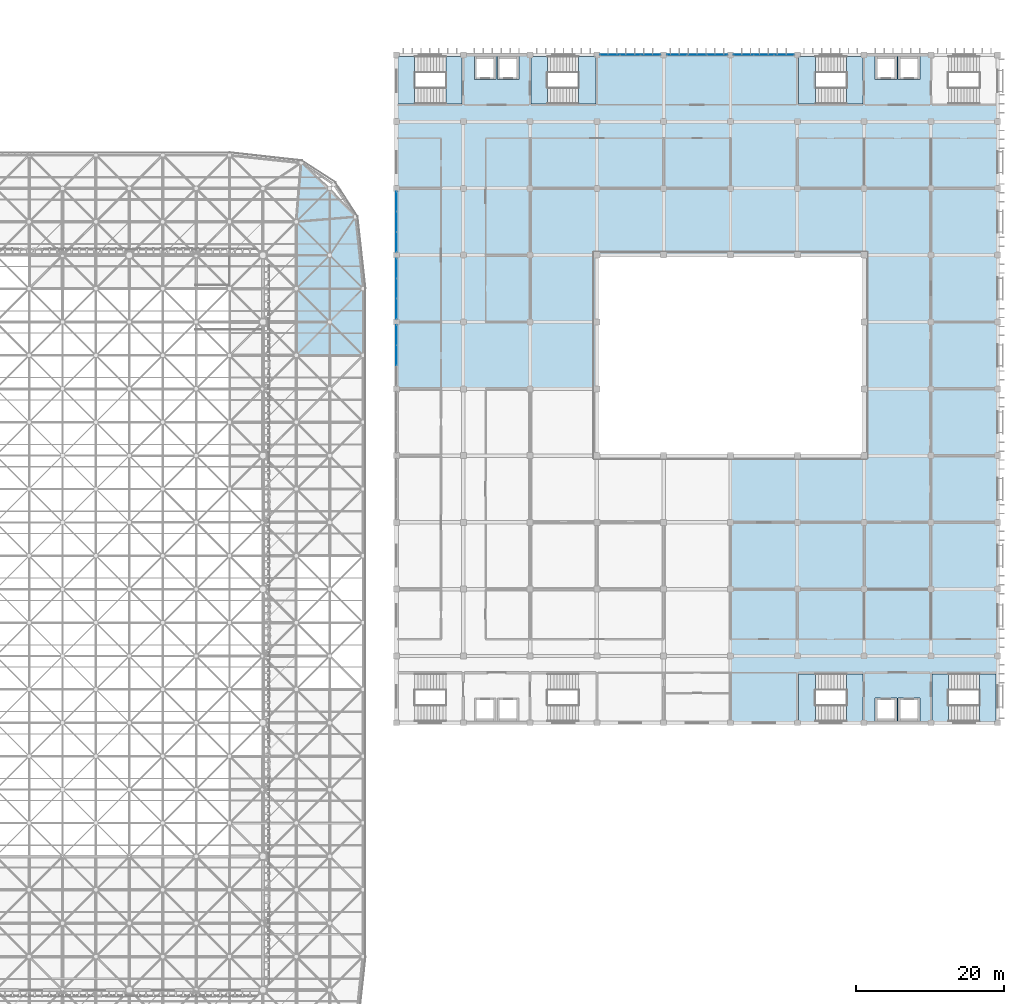
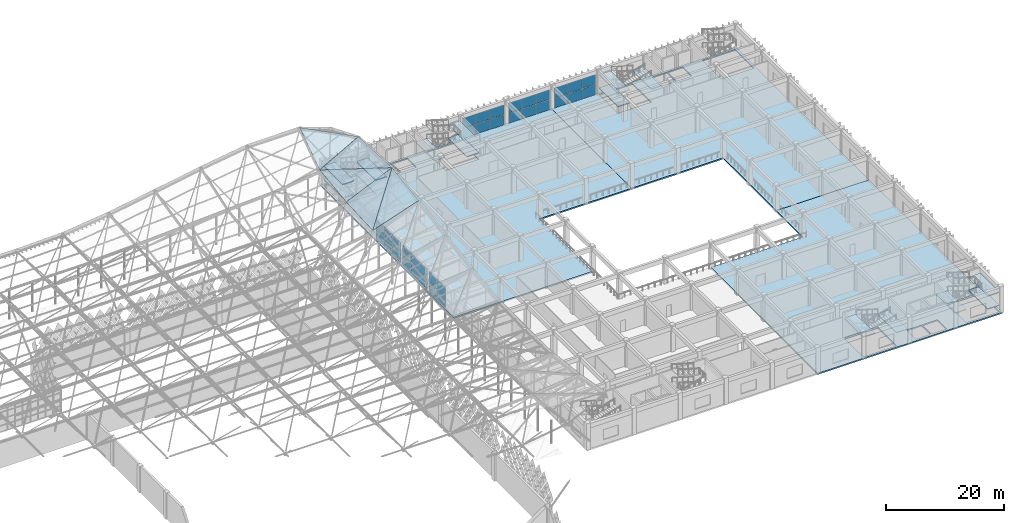
# One storey, part 249 of 437: 34 plates, 22 slabs, 11 elements without a shape of their own.
"""IFC4 building model written with IfcOpenShell, lengths in metres."""

from ifc_helpers import new_model, si_unit, direction, frame, origin, origin_2d, place, context, subcontext, project, spatial, polyline, rectangle, outline, extrude, material, layer, layer_set, type_object, element, aggregate, save


model = new_model("IFC4")

# Units and contexts
model_context = context("Model", 3, precision=1e-05, world=origin(), true_north=direction((0.0, 1.0)))
body_context = subcontext(model_context, "Body", "Model", "MODEL_VIEW")
ifc_project = project(units=[si_unit("LENGTHUNIT", "METRE"), si_unit("AREAUNIT", "SQUARE_METRE"), si_unit("VOLUMEUNIT", "CUBIC_METRE"), si_unit("PLANEANGLEUNIT", "RADIAN"), si_unit("MASSUNIT", "GRAM", prefix="KILO")], contexts=[model_context])

# Site, building, storey
site_placement = place(None, origin())
site = spatial("IfcSite", under=ifc_project, at=site_placement, CompositionType="ELEMENT")
building_placement = place(site_placement, origin())
building = spatial("IfcBuilding", under=site, at=building_placement, Name="Opaline Strait Convention Centre", CompositionType="ELEMENT")
storey_placement = place(building_placement, frame((0.0, 0.0, 11.5)))
storey = spatial("IfcBuildingStorey", under=building, at=storey_placement, Name="L02", CompositionType="ELEMENT", Elevation=11.5)

# Curtain wall, plates
ifc_material_1 = material(Name="Aluminium framed double glazing", Category="aluminium")
ifc_layer_1 = layer(ifc_material_1, 0.199951171875)
ifc_layer_set_1 = layer_set([ifc_layer_1], Name="Aluminium framed double glazing")
curtain_wall_type = type_object("IfcCurtainWallType", Name="Curtain wall 3000 module unitised", PredefinedType="NOTDEFINED", material=ifc_layer_set_1)
curtain_wall_1_placement = place(storey_placement, origin())
curtain_wall_1 = element("IfcCurtainWall", 1, at=curtain_wall_1_placement, inside=storey, type_object=curtain_wall_type, Name="Curtain wall N L02 35/W", PredefinedType="NOTDEFINED")
ifc_material_2 = material(Name="Double glazed unit low emissivity", Category="glass")
ifc_layer_2 = layer(ifc_material_2, 0.028076171875)
ifc_layer_set_2 = layer_set([ifc_layer_2], Name="Double glazed unit low emissivity")
plate_type = type_object("IfcPlateType", Name="Curtain wall glass panel 28", PredefinedType="CURTAIN_PANEL", material=ifc_layer_set_2)
plate_1_placement = place(storey_placement, frame((307.781494140625, 180.0, 0.06005859375), z_axis=(0.0, 0.0, 1.0), x_axis=(1.0, 0.0, 0.0)))
plate_1 = element("IfcPlate", 2, at=plate_1_placement, type_object=plate_type, Name="MCWR1 panel 1.1", PredefinedType="CURTAIN_PANEL", context=body_context, shape_type="SweptSolid", body=[
    extrude(rectangle(XDim=2.643310546875, YDim=0.028076171875, at=origin_2d()), origin(), (0.0, 0.0, 1.0), 2.070068359375),
])
plate_2_placement = place(storey_placement, frame((307.781494140625, 180.0, 2.18994140625), z_axis=(0.0, 0.0, 1.0), x_axis=(1.0, 0.0, 0.0)))
plate_2 = element("IfcPlate", 3, at=plate_2_placement, type_object=plate_type, Name="MCWR1 panel 1.2", PredefinedType="CURTAIN_PANEL", context=body_context, shape_type="SweptSolid", body=[
    extrude(rectangle(XDim=2.643310546875, YDim=0.028076171875, at=origin_2d()), origin(), (0.0, 0.0, 1.0), 2.070068359375),
])
plate_3_placement = place(storey_placement, frame((310.5, 180.0, 0.06005859375), z_axis=(0.0, 0.0, 1.0), x_axis=(1.0, 0.0, 0.0)))
plate_3 = element("IfcPlate", 4, at=plate_3_placement, type_object=plate_type, Name="MCWR1 panel 2.1", PredefinedType="CURTAIN_PANEL", context=body_context, shape_type="SweptSolid", body=[
    extrude(rectangle(XDim=2.67333984375, YDim=0.028076171875, at=origin_2d()), origin(), (0.0, 0.0, 1.0), 2.070068359375),
])
plate_4_placement = place(storey_placement, frame((310.5, 180.0, 2.18994140625), z_axis=(0.0, 0.0, 1.0), x_axis=(1.0, 0.0, 0.0)))
plate_4 = element("IfcPlate", 5, at=plate_4_placement, type_object=plate_type, Name="MCWR1 panel 2.2", PredefinedType="CURTAIN_PANEL", context=body_context, shape_type="SweptSolid", body=[
    extrude(rectangle(XDim=2.67333984375, YDim=0.028076171875, at=origin_2d()), origin(), (0.0, 0.0, 1.0), 2.070068359375),
])
plate_5_placement = place(storey_placement, frame((313.218505859375, 180.0, 0.06005859375), z_axis=(0.0, 0.0, 1.0), x_axis=(1.0, 0.0, 0.0)))
plate_5 = element("IfcPlate", 6, at=plate_5_placement, type_object=plate_type, Name="MCWR1 panel 3.1", PredefinedType="CURTAIN_PANEL", context=body_context, shape_type="SweptSolid", body=[
    extrude(rectangle(XDim=2.643310546875, YDim=0.028076171875, at=origin_2d()), origin(), (0.0, 0.0, 1.0), 2.070068359375),
])
plate_6_placement = place(storey_placement, frame((313.218505859375, 180.0, 2.18994140625), z_axis=(0.0, 0.0, 1.0), x_axis=(1.0, 0.0, 0.0)))
plate_6 = element("IfcPlate", 7, at=plate_6_placement, type_object=plate_type, Name="MCWR1 panel 3.2", PredefinedType="CURTAIN_PANEL", context=body_context, shape_type="SweptSolid", body=[
    extrude(rectangle(XDim=2.643310546875, YDim=0.028076171875, at=origin_2d()), origin(), (0.0, 0.0, 1.0), 2.070068359375),
])
aggregate(curtain_wall_1, [plate_1, plate_2, plate_3, plate_4, plate_5, plate_6])

curtain_wall_2_placement = place(storey_placement, origin())
curtain_wall_2 = element("IfcCurtainWall", 8, at=curtain_wall_2_placement, inside=storey, type_object=curtain_wall_type, Name="Curtain wall N L02 36/W", PredefinedType="NOTDEFINED")
plate_7_placement = place(storey_placement, frame((316.781494140625, 180.0, 0.06005859375), z_axis=(0.0, 0.0, 1.0), x_axis=(1.0, 0.0, 0.0)))
plate_7 = element("IfcPlate", 9, at=plate_7_placement, type_object=plate_type, Name="MCWR1 panel 1.1", PredefinedType="CURTAIN_PANEL", context=body_context, shape_type="SweptSolid", body=[
    extrude(rectangle(XDim=2.643310546875, YDim=0.028076171875, at=origin_2d()), origin(), (0.0, 0.0, 1.0), 2.070068359375),
])
plate_8_placement = place(storey_placement, frame((316.781494140625, 180.0, 2.18994140625), z_axis=(0.0, 0.0, 1.0), x_axis=(1.0, 0.0, 0.0)))
plate_8 = element("IfcPlate", 10, at=plate_8_placement, type_object=plate_type, Name="MCWR1 panel 1.2", PredefinedType="CURTAIN_PANEL", context=body_context, shape_type="SweptSolid", body=[
    extrude(rectangle(XDim=2.643310546875, YDim=0.028076171875, at=origin_2d()), origin(), (0.0, 0.0, 1.0), 2.070068359375),
])
plate_9_placement = place(storey_placement, frame((319.5, 180.0, 0.06005859375), z_axis=(0.0, 0.0, 1.0), x_axis=(1.0, 0.0, 0.0)))
plate_9 = element("IfcPlate", 11, at=plate_9_placement, type_object=plate_type, Name="MCWR1 panel 2.1", PredefinedType="CURTAIN_PANEL", context=body_context, shape_type="SweptSolid", body=[
    extrude(rectangle(XDim=2.67333984375, YDim=0.028076171875, at=origin_2d()), origin(), (0.0, 0.0, 1.0), 2.070068359375),
])
plate_10_placement = place(storey_placement, frame((319.5, 180.0, 2.18994140625), z_axis=(0.0, 0.0, 1.0), x_axis=(1.0, 0.0, 0.0)))
plate_10 = element("IfcPlate", 12, at=plate_10_placement, type_object=plate_type, Name="MCWR1 panel 2.2", PredefinedType="CURTAIN_PANEL", context=body_context, shape_type="SweptSolid", body=[
    extrude(rectangle(XDim=2.67333984375, YDim=0.028076171875, at=origin_2d()), origin(), (0.0, 0.0, 1.0), 2.070068359375),
])
plate_11_placement = place(storey_placement, frame((322.218505859375, 180.0, 0.06005859375), z_axis=(0.0, 0.0, 1.0), x_axis=(1.0, 0.0, 0.0)))
plate_11 = element("IfcPlate", 13, at=plate_11_placement, type_object=plate_type, Name="MCWR1 panel 3.1", PredefinedType="CURTAIN_PANEL", context=body_context, shape_type="SweptSolid", body=[
    extrude(rectangle(XDim=2.643310546875, YDim=0.028076171875, at=origin_2d()), origin(), (0.0, 0.0, 1.0), 2.070068359375),
])
plate_12_placement = place(storey_placement, frame((322.218505859375, 180.0, 2.18994140625), z_axis=(0.0, 0.0, 1.0), x_axis=(1.0, 0.0, 0.0)))
plate_12 = element("IfcPlate", 14, at=plate_12_placement, type_object=plate_type, Name="MCWR1 panel 3.2", PredefinedType="CURTAIN_PANEL", context=body_context, shape_type="SweptSolid", body=[
    extrude(rectangle(XDim=2.643310546875, YDim=0.028076171875, at=origin_2d()), origin(), (0.0, 0.0, 1.0), 2.070068359375),
])
aggregate(curtain_wall_2, [plate_7, plate_8, plate_9, plate_10, plate_11, plate_12])

curtain_wall_3_placement = place(storey_placement, origin())
curtain_wall_3 = element("IfcCurtainWall", 15, at=curtain_wall_3_placement, inside=storey, type_object=curtain_wall_type, Name="Curtain wall N L02 37/W", PredefinedType="NOTDEFINED")
plate_13_placement = place(storey_placement, frame((325.781494140625, 180.0, 0.06005859375), z_axis=(0.0, 0.0, 1.0), x_axis=(1.0, 0.0, 0.0)))
plate_13 = element("IfcPlate", 16, at=plate_13_placement, type_object=plate_type, Name="MCWR1 panel 1.1", PredefinedType="CURTAIN_PANEL", context=body_context, shape_type="SweptSolid", body=[
    extrude(rectangle(XDim=2.643310546875, YDim=0.028076171875, at=origin_2d()), origin(), (0.0, 0.0, 1.0), 2.070068359375),
])
plate_14_placement = place(storey_placement, frame((325.781494140625, 180.0, 2.18994140625), z_axis=(0.0, 0.0, 1.0), x_axis=(1.0, 0.0, 0.0)))
plate_14 = element("IfcPlate", 17, at=plate_14_placement, type_object=plate_type, Name="MCWR1 panel 1.2", PredefinedType="CURTAIN_PANEL", context=body_context, shape_type="SweptSolid", body=[
    extrude(rectangle(XDim=2.643310546875, YDim=0.028076171875, at=origin_2d()), origin(), (0.0, 0.0, 1.0), 2.070068359375),
])
plate_15_placement = place(storey_placement, frame((328.5, 180.0, 0.06005859375), z_axis=(0.0, 0.0, 1.0), x_axis=(1.0, 0.0, 0.0)))
plate_15 = element("IfcPlate", 18, at=plate_15_placement, type_object=plate_type, Name="MCWR1 panel 2.1", PredefinedType="CURTAIN_PANEL", context=body_context, shape_type="SweptSolid", body=[
    extrude(rectangle(XDim=2.67333984375, YDim=0.028076171875, at=origin_2d()), origin(), (0.0, 0.0, 1.0), 2.070068359375),
])
plate_16_placement = place(storey_placement, frame((328.5, 180.0, 2.18994140625), z_axis=(0.0, 0.0, 1.0), x_axis=(1.0, 0.0, 0.0)))
plate_16 = element("IfcPlate", 19, at=plate_16_placement, type_object=plate_type, Name="MCWR1 panel 2.2", PredefinedType="CURTAIN_PANEL", context=body_context, shape_type="SweptSolid", body=[
    extrude(rectangle(XDim=2.67333984375, YDim=0.028076171875, at=origin_2d()), origin(), (0.0, 0.0, 1.0), 2.070068359375),
])
plate_17_placement = place(storey_placement, frame((331.218505859375, 180.0, 0.06005859375), z_axis=(0.0, 0.0, 1.0), x_axis=(1.0, 0.0, 0.0)))
plate_17 = element("IfcPlate", 20, at=plate_17_placement, type_object=plate_type, Name="MCWR1 panel 3.1", PredefinedType="CURTAIN_PANEL", context=body_context, shape_type="SweptSolid", body=[
    extrude(rectangle(XDim=2.643310546875, YDim=0.028076171875, at=origin_2d()), origin(), (0.0, 0.0, 1.0), 2.070068359375),
])
plate_18_placement = place(storey_placement, frame((331.218505859375, 180.0, 2.18994140625), z_axis=(0.0, 0.0, 1.0), x_axis=(1.0, 0.0, 0.0)))
plate_18 = element("IfcPlate", 21, at=plate_18_placement, type_object=plate_type, Name="MCWR1 panel 3.2", PredefinedType="CURTAIN_PANEL", context=body_context, shape_type="SweptSolid", body=[
    extrude(rectangle(XDim=2.643310546875, YDim=0.028076171875, at=origin_2d()), origin(), (0.0, 0.0, 1.0), 2.070068359375),
])
aggregate(curtain_wall_3, [plate_13, plate_14, plate_15, plate_16, plate_17, plate_18])

curtain_wall_4_placement = place(storey_placement, origin())
curtain_wall_4 = element("IfcCurtainWall", 22, at=curtain_wall_4_placement, inside=storey, type_object=curtain_wall_type, Name="Curtain wall W L02 32/R", PredefinedType="NOTDEFINED")
plate_19_placement = place(storey_placement, frame((279.0, 139.5, 0.06005859375), z_axis=(0.0, 0.0, 1.0), x_axis=(0.0, 1.0, 0.0)))
plate_19 = element("IfcPlate", 23, at=plate_19_placement, type_object=plate_type, Name="MCWR1 panel 2.1", PredefinedType="CURTAIN_PANEL", context=body_context, shape_type="SweptSolid", body=[
    extrude(rectangle(XDim=2.67333984375, YDim=0.028076171875, at=origin_2d()), origin(), (0.0, 0.0, 1.0), 2.070068359375),
])
plate_20_placement = place(storey_placement, frame((279.0, 139.5, 2.18994140625), z_axis=(0.0, 0.0, 1.0), x_axis=(0.0, 1.0, 0.0)))
plate_20 = element("IfcPlate", 24, at=plate_20_placement, type_object=plate_type, Name="MCWR1 panel 2.2", PredefinedType="CURTAIN_PANEL", context=body_context, shape_type="SweptSolid", body=[
    extrude(rectangle(XDim=2.67333984375, YDim=0.028076171875, at=origin_2d()), origin(), (0.0, 0.0, 1.0), 2.070068359375),
])
plate_21_placement = place(storey_placement, frame((279.0, 142.218505859375, 0.06005859375), z_axis=(0.0, 0.0, 1.0), x_axis=(0.0, 1.0, 0.0)))
plate_21 = element("IfcPlate", 25, at=plate_21_placement, type_object=plate_type, Name="MCWR1 panel 3.1", PredefinedType="CURTAIN_PANEL", context=body_context, shape_type="SweptSolid", body=[
    extrude(rectangle(XDim=2.643310546875, YDim=0.028076171875, at=origin_2d()), origin(), (0.0, 0.0, 1.0), 2.070068359375),
])
plate_22_placement = place(storey_placement, frame((279.0, 142.218505859375, 2.18994140625), z_axis=(0.0, 0.0, 1.0), x_axis=(0.0, 1.0, 0.0)))
plate_22 = element("IfcPlate", 26, at=plate_22_placement, type_object=plate_type, Name="MCWR1 panel 3.2", PredefinedType="CURTAIN_PANEL", context=body_context, shape_type="SweptSolid", body=[
    extrude(rectangle(XDim=2.643310546875, YDim=0.028076171875, at=origin_2d()), origin(), (0.0, 0.0, 1.0), 2.070068359375),
])
aggregate(curtain_wall_4, [plate_19, plate_20, plate_21, plate_22])

curtain_wall_5_placement = place(storey_placement, origin())
curtain_wall_5 = element("IfcCurtainWall", 27, at=curtain_wall_5_placement, inside=storey, type_object=curtain_wall_type, Name="Curtain wall W L02 32/S", PredefinedType="NOTDEFINED")
plate_23_placement = place(storey_placement, frame((279.0, 145.781494140625, 0.06005859375), z_axis=(0.0, 0.0, 1.0), x_axis=(0.0, 1.0, 0.0)))
plate_23 = element("IfcPlate", 28, at=plate_23_placement, type_object=plate_type, Name="MCWR1 panel 1.1", PredefinedType="CURTAIN_PANEL", context=body_context, shape_type="SweptSolid", body=[
    extrude(rectangle(XDim=2.643310546875, YDim=0.028076171875, at=origin_2d()), origin(), (0.0, 0.0, 1.0), 2.070068359375),
])
plate_24_placement = place(storey_placement, frame((279.0, 145.781494140625, 2.18994140625), z_axis=(0.0, 0.0, 1.0), x_axis=(0.0, 1.0, 0.0)))
plate_24 = element("IfcPlate", 29, at=plate_24_placement, type_object=plate_type, Name="MCWR1 panel 1.2", PredefinedType="CURTAIN_PANEL", context=body_context, shape_type="SweptSolid", body=[
    extrude(rectangle(XDim=2.643310546875, YDim=0.028076171875, at=origin_2d()), origin(), (0.0, 0.0, 1.0), 2.070068359375),
])
plate_25_placement = place(storey_placement, frame((279.0, 148.5, 0.06005859375), z_axis=(0.0, 0.0, 1.0), x_axis=(0.0, 1.0, 0.0)))
plate_25 = element("IfcPlate", 30, at=plate_25_placement, type_object=plate_type, Name="MCWR1 panel 2.1", PredefinedType="CURTAIN_PANEL", context=body_context, shape_type="SweptSolid", body=[
    extrude(rectangle(XDim=2.67333984375, YDim=0.028076171875, at=origin_2d()), origin(), (0.0, 0.0, 1.0), 2.070068359375),
])
plate_26_placement = place(storey_placement, frame((279.0, 148.5, 2.18994140625), z_axis=(0.0, 0.0, 1.0), x_axis=(0.0, 1.0, 0.0)))
plate_26 = element("IfcPlate", 31, at=plate_26_placement, type_object=plate_type, Name="MCWR1 panel 2.2", PredefinedType="CURTAIN_PANEL", context=body_context, shape_type="SweptSolid", body=[
    extrude(rectangle(XDim=2.67333984375, YDim=0.028076171875, at=origin_2d()), origin(), (0.0, 0.0, 1.0), 2.070068359375),
])
plate_27_placement = place(storey_placement, frame((279.0, 151.218505859375, 0.06005859375), z_axis=(0.0, 0.0, 1.0), x_axis=(0.0, 1.0, 0.0)))
plate_27 = element("IfcPlate", 32, at=plate_27_placement, type_object=plate_type, Name="MCWR1 panel 3.1", PredefinedType="CURTAIN_PANEL", context=body_context, shape_type="SweptSolid", body=[
    extrude(rectangle(XDim=2.643310546875, YDim=0.028076171875, at=origin_2d()), origin(), (0.0, 0.0, 1.0), 2.070068359375),
])
plate_28_placement = place(storey_placement, frame((279.0, 151.218505859375, 2.18994140625), z_axis=(0.0, 0.0, 1.0), x_axis=(0.0, 1.0, 0.0)))
plate_28 = element("IfcPlate", 33, at=plate_28_placement, type_object=plate_type, Name="MCWR1 panel 3.2", PredefinedType="CURTAIN_PANEL", context=body_context, shape_type="SweptSolid", body=[
    extrude(rectangle(XDim=2.643310546875, YDim=0.028076171875, at=origin_2d()), origin(), (0.0, 0.0, 1.0), 2.070068359375),
])
aggregate(curtain_wall_5, [plate_23, plate_24, plate_25, plate_26, plate_27, plate_28])

curtain_wall_6_placement = place(storey_placement, origin())
curtain_wall_6 = element("IfcCurtainWall", 34, at=curtain_wall_6_placement, inside=storey, type_object=curtain_wall_type, Name="Curtain wall W L02 32/T", PredefinedType="NOTDEFINED")
plate_29_placement = place(storey_placement, frame((279.0, 154.781494140625, 0.06005859375), z_axis=(0.0, 0.0, 1.0), x_axis=(0.0, 1.0, 0.0)))
plate_29 = element("IfcPlate", 35, at=plate_29_placement, type_object=plate_type, Name="MCWR1 panel 1.1", PredefinedType="CURTAIN_PANEL", context=body_context, shape_type="SweptSolid", body=[
    extrude(rectangle(XDim=2.643310546875, YDim=0.028076171875, at=origin_2d()), origin(), (0.0, 0.0, 1.0), 2.070068359375),
])
plate_30_placement = place(storey_placement, frame((279.0, 154.781494140625, 2.18994140625), z_axis=(0.0, 0.0, 1.0), x_axis=(0.0, 1.0, 0.0)))
plate_30 = element("IfcPlate", 36, at=plate_30_placement, type_object=plate_type, Name="MCWR1 panel 1.2", PredefinedType="CURTAIN_PANEL", context=body_context, shape_type="SweptSolid", body=[
    extrude(rectangle(XDim=2.643310546875, YDim=0.028076171875, at=origin_2d()), origin(), (0.0, 0.0, 1.0), 2.070068359375),
])
plate_31_placement = place(storey_placement, frame((279.0, 157.5, 0.06005859375), z_axis=(0.0, 0.0, 1.0), x_axis=(0.0, 1.0, 0.0)))
plate_31 = element("IfcPlate", 37, at=plate_31_placement, type_object=plate_type, Name="MCWR1 panel 2.1", PredefinedType="CURTAIN_PANEL", context=body_context, shape_type="SweptSolid", body=[
    extrude(rectangle(XDim=2.67333984375, YDim=0.028076171875, at=origin_2d()), origin(), (0.0, 0.0, 1.0), 2.070068359375),
])
plate_32_placement = place(storey_placement, frame((279.0, 157.5, 2.18994140625), z_axis=(0.0, 0.0, 1.0), x_axis=(0.0, 1.0, 0.0)))
plate_32 = element("IfcPlate", 38, at=plate_32_placement, type_object=plate_type, Name="MCWR1 panel 2.2", PredefinedType="CURTAIN_PANEL", context=body_context, shape_type="SweptSolid", body=[
    extrude(rectangle(XDim=2.67333984375, YDim=0.028076171875, at=origin_2d()), origin(), (0.0, 0.0, 1.0), 2.070068359375),
])
plate_33_placement = place(storey_placement, frame((279.0, 160.218505859375, 0.06005859375), z_axis=(0.0, 0.0, 1.0), x_axis=(0.0, 1.0, 0.0)))
plate_33 = element("IfcPlate", 39, at=plate_33_placement, type_object=plate_type, Name="MCWR1 panel 3.1", PredefinedType="CURTAIN_PANEL", context=body_context, shape_type="SweptSolid", body=[
    extrude(rectangle(XDim=2.643310546875, YDim=0.028076171875, at=origin_2d()), origin(), (0.0, 0.0, 1.0), 2.070068359375),
])
plate_34_placement = place(storey_placement, frame((279.0, 160.218505859375, 2.18994140625), z_axis=(0.0, 0.0, 1.0), x_axis=(0.0, 1.0, 0.0)))
plate_34 = element("IfcPlate", 40, at=plate_34_placement, type_object=plate_type, Name="MCWR1 panel 3.2", PredefinedType="CURTAIN_PANEL", context=body_context, shape_type="SweptSolid", body=[
    extrude(rectangle(XDim=2.643310546875, YDim=0.028076171875, at=origin_2d()), origin(), (0.0, 0.0, 1.0), 2.070068359375),
])
aggregate(curtain_wall_6, [plate_29, plate_30, plate_31, plate_32, plate_33, plate_34])

# Slabs
ifc_material_3 = material(Name="Steel Q235-B insulated roof panel", Category="steel")
ifc_layer_3 = layer(ifc_material_3, 0.1201171875)
ifc_layer_set_3 = layer_set([ifc_layer_3], Name="Steel Q235-B insulated roof panel")
slab_type_1 = type_object("IfcSlabType", Name="Insulated roof panel 120 steel Q235B facings", PredefinedType="ROOF", material=ifc_layer_set_3)
slab_1_placement = place(storey_placement, frame((265.5, 139.5, 19.92529296875), z_axis=(-0.317843500893, -0.140110604475, 0.937733718842), x_axis=(0.94707580852, 0.0, 0.321009988809)))
element("IfcSlab", 41, at=slab_1_placement, inside=storey, type_object=slab_type_1, Name="EXB-RF-D-20-11a", PredefinedType="ROOF", context=body_context, shape_type="SweptSolid", body=[
    extrude(outline(polyline([(0.0, 0.0), (9.502935160026821, 5.551115123125783e-17), (9.934605818806414, 9.089661708239856), (0.0, 0.0)])), origin(), (0.0, 0.0, -1.0), 0.1201171875),
])
slab_2_placement = place(storey_placement, frame((265.5, 139.5, 19.93603515625), z_axis=(-0.402256267208, -0.044328561267, 0.91445331983), x_axis=(0.668377219013, 0.668377219013, 0.326410456648)))
element("IfcSlab", 42, at=slab_2_placement, inside=storey, type_object=slab_type_1, Name="EXB-RF-D-20-11b", PredefinedType="ROOF", context=body_context, shape_type="SweptSolid", body=[
    extrude(outline(polyline([(0.0, 0.0), (13.465449964457338, -1.1102230246251565e-15), (6.1578010956344205, 6.578132355880754), (0.0, 0.0)])), origin(), (0.0, 0.0, -1.0), 0.1201171875),
])
slab_3_placement = place(storey_placement, frame((274.5, 148.5, 24.3359375), z_axis=(-0.41014099982, -0.1306186589, 0.90262014503), x_axis=(-0.105228590362, 0.98985877363, 0.095428255978)))
element("IfcSlab", 43, at=slab_3_placement, inside=storey, type_object=slab_type_1, Name="EXB-RF-D-20-12a", PredefinedType="ROOF", context=body_context, shape_type="SweptSolid", body=[
    extrude(outline(polyline([(0.0, 0.0), (9.765291800345947, 5.551115123125783e-17), (9.589817289048067, 8.82062259882417), (0.0, 0.0)])), origin(), (0.0, 0.0, -1.0), 0.1201171875),
])
slab_4_placement = place(storey_placement, frame((265.5, 148.5, 20.374267578125), z_axis=(-0.399822259158, -0.118348966697, 0.908920064232), x_axis=(0.915353106268, 0.0, 0.402652071702)))
element("IfcSlab", 44, at=slab_4_placement, inside=storey, type_object=slab_type_1, Name="EXB-RF-D-20-12b", PredefinedType="ROOF", context=body_context, shape_type="SweptSolid", body=[
    extrude(outline(polyline([(0.0, 0.0), (9.832271216839686, 0.0), (0.47185789652620513, 9.063699087078678), (0.0, 0.0)])), origin(), (0.0, 0.0, -1.0), 0.1201171875),
])
slab_5_placement = place(storey_placement, frame((265.5, 157.5, 21.566650390625), z_axis=(-0.367715653141, -0.367715653141, 0.854148931317), x_axis=(0.903659000893, 0.075519381823, 0.421541496267)))
element("IfcSlab", 45, at=slab_5_placement, inside=storey, type_object=slab_type_1, Name="EXB-RF-D-20-13b", PredefinedType="ROOF", context=body_context, shape_type="SweptSolid", body=[
    extrude(outline(polyline([(0.0, 0.0), (8.822367841741974, 0.0), (2.771853622926109, 8.375619489212381), (0.0, 0.0)])), origin(), (0.0, 0.0, -1.0), 0.1201171875),
])
ifc_material_4 = material(Name="Concrete C35", Category="concrete")
ifc_layer_4 = layer(ifc_material_4, 0.280029296875)
ifc_layer_set_4 = layer_set([ifc_layer_4], Name="Concrete C35")
slab_type_2 = type_object("IfcSlabType", Name="RC floor slab 280 C35", PredefinedType="FLOOR", material=ifc_layer_set_4)
slab_6_placement = place(storey_placement, frame((0.0, 0.0, -0.280029296875)))
element("IfcSlab", 46, at=slab_6_placement, inside=storey, type_object=slab_type_2, Name="XS2 L02 slab pour SE", PredefinedType="FLOOR", context=body_context, shape_type="SweptSolid", body=[
    extrude(outline(polyline([(360.199951171875, 89.800048828125), (324.0, 89.800048828125), (324.0, 126.0), (342.0, 126.0), (342.0, 135.0), (360.199951171875, 135.0), (360.199951171875, 89.800048828125)]), holes=[polyline([(343.5, 93.35009765625), (343.5, 90.25), (346.39990234375, 90.25), (346.39990234375, 93.35009765625), (343.5, 93.35009765625)]), polyline([(346.60009765625, 93.35009765625), (346.60009765625, 90.25), (349.5, 90.25), (349.5, 93.35009765625), (346.60009765625, 93.35009765625)]), polyline([(353.3505859375, 96.599853515625), (353.3505859375, 90.199951171875), (359.7998046875, 90.199951171875), (359.7998046875, 96.599853515625), (353.3505859375, 96.599853515625)]), polyline([(333.150146484375, 96.60009765625), (333.150146484375, 90.2001953125), (339.6494140625, 90.2001953125), (339.6494140625, 96.60009765625), (333.150146484375, 96.60009765625)])]), origin(), (0.0, 0.0, 1.0), 0.280029296875),
])
slab_7_placement = place(storey_placement, frame((0.0, 0.0, -0.280029296875)))
element("IfcSlab", 47, at=slab_7_placement, inside=storey, type_object=slab_type_2, Name="XS2 L02 slab pour NW", PredefinedType="FLOOR", context=body_context, shape_type="SweptSolid", body=[
    extrude(outline(polyline([(324.0, 180.199951171875), (324.0, 153.0), (306.0, 153.0), (306.0, 135.0), (278.800048828125, 135.0), (278.800048828125, 180.199951171875), (324.0, 180.199951171875)]), holes=[polyline([(299.3505859375, 179.7998046875), (299.3505859375, 173.39990234375), (305.849853515625, 173.39990234375), (305.849853515625, 179.7998046875), (299.3505859375, 179.7998046875)]), polyline([(279.2001953125, 179.800048828125), (279.2001953125, 173.400146484375), (285.6494140625, 173.400146484375), (285.6494140625, 179.800048828125), (279.2001953125, 179.800048828125)]), polyline([(289.5, 179.75), (289.5, 176.64990234375), (292.39990234375, 176.64990234375), (292.39990234375, 179.75), (289.5, 179.75)]), polyline([(292.60009765625, 179.75), (292.60009765625, 176.64990234375), (295.5, 176.64990234375), (295.5, 179.75), (292.60009765625, 179.75)])]), origin(), (0.0, 0.0, 1.0), 0.280029296875),
])
slab_8_placement = place(storey_placement, frame((0.0, 0.0, -0.280029296875)))
element("IfcSlab", 48, at=slab_8_placement, inside=storey, type_object=slab_type_2, Name="XS2 L02 slab pour NE", PredefinedType="FLOOR", context=body_context, shape_type="SweptSolid", body=[
    extrude(outline(polyline([(360.199951171875, 180.199951171875), (360.199951171875, 135.0), (342.0, 135.0), (342.0, 153.0), (324.0, 153.0), (324.0, 180.199951171875), (360.199951171875, 180.199951171875)]), holes=[polyline([(353.3505859375, 179.7998046875), (353.3505859375, 173.39990234375), (359.7998046875, 173.39990234375), (359.7998046875, 179.7998046875), (353.3505859375, 179.7998046875)]), polyline([(333.150146484375, 179.800048828125), (333.150146484375, 173.400146484375), (339.6494140625, 173.400146484375), (339.6494140625, 179.800048828125), (333.150146484375, 179.800048828125)]), polyline([(343.5, 179.75), (343.5, 176.64990234375), (346.39990234375, 176.64990234375), (346.39990234375, 179.75), (343.5, 179.75)]), polyline([(346.60009765625, 179.75), (346.60009765625, 176.64990234375), (349.5, 176.64990234375), (349.5, 179.75), (346.60009765625, 179.75)])]), origin(), (0.0, 0.0, 1.0), 0.280029296875),
])

# Stair, slabs
ifc_material_5 = material(Name="Concrete C40", Category="concrete")
stair_type = type_object("IfcStairType", Name="Escape stair half-turn 2200 concrete C40", PredefinedType="HALF_TURN_STAIR", material=ifc_material_5)
stair_1_placement = place(storey_placement, origin())
stair_1 = element("IfcStair", 49, at=stair_1_placement, inside=storey, type_object=stair_type, Name="L02 Stair S3-MTG", ObjectType="MST1", PredefinedType="HALF_TURN_STAIR")
ifc_layer_5 = layer(ifc_material_5, 0.199951171875)
ifc_layer_set_5 = layer_set([ifc_layer_5], Name="Concrete C40")
slab_type_3 = type_object("IfcSlabType", Name="Stair landing 200 concrete C40", PredefinedType="LANDING", material=ifc_layer_set_5)
slab_9_placement = place(storey_placement, frame((0.0, 0.0, 1.175048828125)))
slab_9 = element("IfcSlab", 50, at=slab_9_placement, type_object=slab_type_3, Name="S3 landing 1", ObjectType="MSL1", PredefinedType="LANDING", context=body_context, shape_type="SweptSolid", body=[
    extrude(outline(polyline([(357.5498046875, 90.199951171875), (359.7998046875, 90.199951171875), (359.7998046875, 96.599853515625), (357.5498046875, 96.599853515625), (357.5498046875, 90.199951171875)])), origin(), (0.0, 0.0, 1.0), 0.199951171875),
])
slab_10_placement = place(storey_placement, frame((0.0, 0.0, 2.550048828125)))
slab_10 = element("IfcSlab", 51, at=slab_10_placement, type_object=slab_type_3, Name="S3 landing 2", ObjectType="MSL1", PredefinedType="LANDING", context=body_context, shape_type="SweptSolid", body=[
    extrude(outline(polyline([(351.14990234375, 90.199951171875), (353.349853515625, 90.199951171875), (353.349853515625, 96.599853515625), (351.14990234375, 96.599853515625), (351.14990234375, 90.199951171875)])), origin(), (0.0, 0.0, 1.0), 0.199951171875),
])
slab_11_placement = place(storey_placement, frame((0.0, 0.0, 3.925048828125)))
slab_11 = element("IfcSlab", 52, at=slab_11_placement, type_object=slab_type_3, Name="S3 landing 3", ObjectType="MSL1", PredefinedType="LANDING", context=body_context, shape_type="SweptSolid", body=[
    extrude(outline(polyline([(357.5498046875, 90.199951171875), (359.7998046875, 90.199951171875), (359.7998046875, 96.599853515625), (357.5498046875, 96.599853515625), (357.5498046875, 90.199951171875)])), origin(), (0.0, 0.0, 1.0), 0.199951171875),
])
aggregate(stair_1, [slab_9, slab_10, slab_11])

stair_2_placement = place(storey_placement, origin())
stair_2 = element("IfcStair", 53, at=stair_2_placement, inside=storey, type_object=stair_type, Name="L02 Stair S4-MTG", ObjectType="MST1", PredefinedType="HALF_TURN_STAIR")
slab_12_placement = place(storey_placement, frame((0.0, 0.0, 2.550048828125)))
slab_12 = element("IfcSlab", 54, at=slab_12_placement, type_object=slab_type_3, Name="S4 landing 2", ObjectType="MSL1", PredefinedType="LANDING", context=body_context, shape_type="SweptSolid", body=[
    extrude(outline(polyline([(341.85009765625, 96.60009765625), (339.650146484375, 96.60009765625), (339.650146484375, 90.2001953125), (341.85009765625, 90.2001953125), (341.85009765625, 96.60009765625)])), origin(), (0.0, 0.0, 1.0), 0.199951171875),
])
slab_13_placement = place(storey_placement, frame((0.0, 0.0, 3.925048828125)))
slab_13 = element("IfcSlab", 55, at=slab_13_placement, type_object=slab_type_3, Name="S4 landing 3", ObjectType="MSL1", PredefinedType="LANDING", context=body_context, shape_type="SweptSolid", body=[
    extrude(outline(polyline([(335.4501953125, 96.60009765625), (333.150146484375, 96.60009765625), (333.150146484375, 90.2001953125), (335.4501953125, 90.2001953125), (335.4501953125, 96.60009765625)])), origin(), (0.0, 0.0, 1.0), 0.199951171875),
])
aggregate(stair_2, [slab_12, slab_13])

stair_3_placement = place(storey_placement, origin())
stair_3 = element("IfcStair", 56, at=stair_3_placement, inside=storey, type_object=stair_type, Name="L02 Stair S5-MTG", ObjectType="MST1", PredefinedType="HALF_TURN_STAIR")
slab_14_placement = place(storey_placement, frame((0.0, 0.0, 1.175048828125)))
slab_14 = element("IfcSlab", 57, at=slab_14_placement, type_object=slab_type_3, Name="S5 landing 1", ObjectType="MSL1", PredefinedType="LANDING", context=body_context, shape_type="SweptSolid", body=[
    extrude(outline(polyline([(281.4501953125, 179.800048828125), (279.2001953125, 179.800048828125), (279.2001953125, 173.400146484375), (281.4501953125, 173.400146484375), (281.4501953125, 179.800048828125)])), origin(), (0.0, 0.0, 1.0), 0.199951171875),
])
slab_15_placement = place(storey_placement, frame((0.0, 0.0, 2.550048828125)))
slab_15 = element("IfcSlab", 58, at=slab_15_placement, type_object=slab_type_3, Name="S5 landing 2", ObjectType="MSL1", PredefinedType="LANDING", context=body_context, shape_type="SweptSolid", body=[
    extrude(outline(polyline([(287.85009765625, 179.800048828125), (285.650146484375, 179.800048828125), (285.650146484375, 173.400146484375), (287.85009765625, 173.400146484375), (287.85009765625, 179.800048828125)])), origin(), (0.0, 0.0, 1.0), 0.199951171875),
])
slab_16_placement = place(storey_placement, frame((0.0, 0.0, 3.925048828125)))
slab_16 = element("IfcSlab", 59, at=slab_16_placement, type_object=slab_type_3, Name="S5 landing 3", ObjectType="MSL1", PredefinedType="LANDING", context=body_context, shape_type="SweptSolid", body=[
    extrude(outline(polyline([(281.4501953125, 179.800048828125), (279.2001953125, 179.800048828125), (279.2001953125, 173.400146484375), (281.4501953125, 173.400146484375), (281.4501953125, 179.800048828125)])), origin(), (0.0, 0.0, 1.0), 0.199951171875),
])
aggregate(stair_3, [slab_14, slab_15, slab_16])

stair_4_placement = place(storey_placement, origin())
stair_4 = element("IfcStair", 60, at=stair_4_placement, inside=storey, type_object=stair_type, Name="L02 Stair S6-MTG", ObjectType="MST1", PredefinedType="HALF_TURN_STAIR")
slab_17_placement = place(storey_placement, frame((0.0, 0.0, 1.175048828125)))
slab_17 = element("IfcSlab", 61, at=slab_17_placement, type_object=slab_type_3, Name="S6 landing 1", ObjectType="MSL1", PredefinedType="LANDING", context=body_context, shape_type="SweptSolid", body=[
    extrude(outline(polyline([(303.5498046875, 173.39990234375), (305.849853515625, 173.39990234375), (305.849853515625, 179.7998046875), (303.5498046875, 179.7998046875), (303.5498046875, 173.39990234375)])), origin(), (0.0, 0.0, 1.0), 0.199951171875),
])
slab_18_placement = place(storey_placement, frame((0.0, 0.0, 2.550048828125)))
slab_18 = element("IfcSlab", 62, at=slab_18_placement, type_object=slab_type_3, Name="S6 landing 2", ObjectType="MSL1", PredefinedType="LANDING", context=body_context, shape_type="SweptSolid", body=[
    extrude(outline(polyline([(297.14990234375, 173.39990234375), (299.349853515625, 173.39990234375), (299.349853515625, 179.7998046875), (297.14990234375, 179.7998046875), (297.14990234375, 173.39990234375)])), origin(), (0.0, 0.0, 1.0), 0.199951171875),
])
slab_19_placement = place(storey_placement, frame((0.0, 0.0, 3.925048828125)))
slab_19 = element("IfcSlab", 63, at=slab_19_placement, type_object=slab_type_3, Name="S6 landing 3", ObjectType="MSL1", PredefinedType="LANDING", context=body_context, shape_type="SweptSolid", body=[
    extrude(outline(polyline([(303.5498046875, 173.39990234375), (305.849853515625, 173.39990234375), (305.849853515625, 179.7998046875), (303.5498046875, 179.7998046875), (303.5498046875, 173.39990234375)])), origin(), (0.0, 0.0, 1.0), 0.199951171875),
])
aggregate(stair_4, [slab_17, slab_18, slab_19])

stair_5_placement = place(storey_placement, origin())
stair_5 = element("IfcStair", 64, at=stair_5_placement, inside=storey, type_object=stair_type, Name="L02 Stair S8-MTG", ObjectType="MST1", PredefinedType="HALF_TURN_STAIR")
slab_20_placement = place(storey_placement, frame((0.0, 0.0, 1.175048828125)))
slab_20 = element("IfcSlab", 65, at=slab_20_placement, type_object=slab_type_3, Name="S8 landing 1", ObjectType="MSL1", PredefinedType="LANDING", context=body_context, shape_type="SweptSolid", body=[
    extrude(outline(polyline([(335.4501953125, 179.800048828125), (333.150146484375, 179.800048828125), (333.150146484375, 173.400146484375), (335.4501953125, 173.400146484375), (335.4501953125, 179.800048828125)])), origin(), (0.0, 0.0, 1.0), 0.199951171875),
])
slab_21_placement = place(storey_placement, frame((0.0, 0.0, 2.550048828125)))
slab_21 = element("IfcSlab", 66, at=slab_21_placement, type_object=slab_type_3, Name="S8 landing 2", ObjectType="MSL1", PredefinedType="LANDING", context=body_context, shape_type="SweptSolid", body=[
    extrude(outline(polyline([(341.85009765625, 179.800048828125), (339.650146484375, 179.800048828125), (339.650146484375, 173.400146484375), (341.85009765625, 173.400146484375), (341.85009765625, 179.800048828125)])), origin(), (0.0, 0.0, 1.0), 0.199951171875),
])
slab_22_placement = place(storey_placement, frame((0.0, 0.0, 3.925048828125)))
slab_22 = element("IfcSlab", 67, at=slab_22_placement, type_object=slab_type_3, Name="S8 landing 3", ObjectType="MSL1", PredefinedType="LANDING", context=body_context, shape_type="SweptSolid", body=[
    extrude(outline(polyline([(335.4501953125, 179.800048828125), (333.150146484375, 179.800048828125), (333.150146484375, 173.400146484375), (335.4501953125, 173.400146484375), (335.4501953125, 179.800048828125)])), origin(), (0.0, 0.0, 1.0), 0.199951171875),
])
aggregate(stair_5, [slab_20, slab_21, slab_22])

save(model, "model.ifc")
